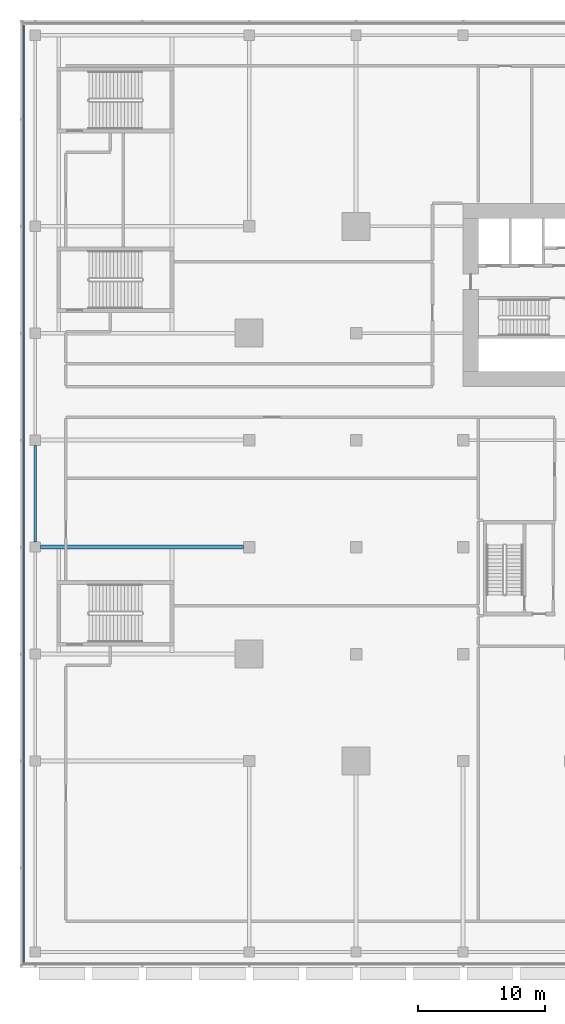
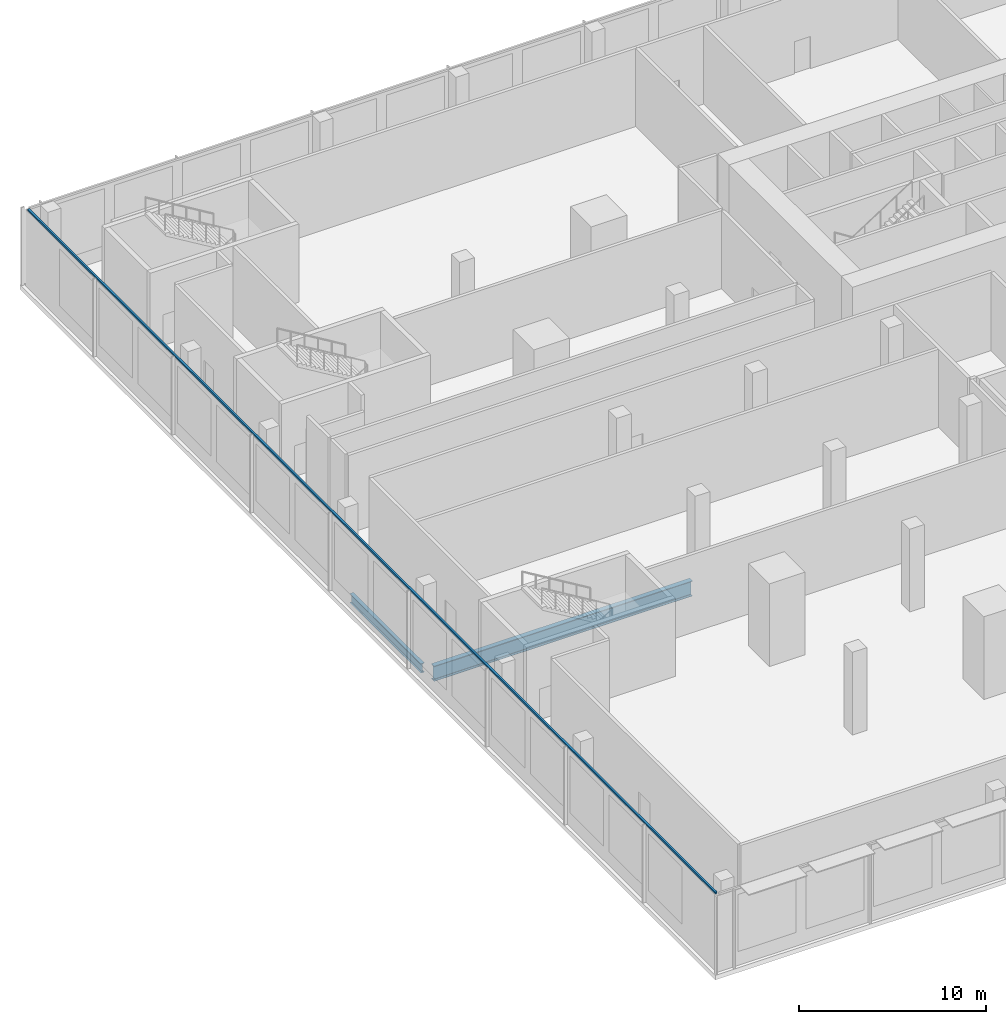
# One storey, part 8 of 39: 2 beams, 1 member, 1 element without a shape of its own.
"""IFC4 building model written with IfcOpenShell, lengths in metres."""

from ifc_helpers import new_model, si_unit, direction, frame, origin, origin_2d, place, context, subcontext, project, spatial, rectangle, i_section, extrude, material, material_profile, profile_set, type_object, element, aggregate, save


model = new_model("IFC4")

# Units and contexts
model_context = context("Model", 3, precision=1e-05, world=origin(), true_north=direction((0.0, 1.0)))
body_context = subcontext(model_context, "Body", "Model", "MODEL_VIEW")
ifc_project = project(units=[si_unit("LENGTHUNIT", "METRE"), si_unit("AREAUNIT", "SQUARE_METRE"), si_unit("VOLUMEUNIT", "CUBIC_METRE"), si_unit("PLANEANGLEUNIT", "RADIAN"), si_unit("MASSUNIT", "GRAM", prefix="KILO")], contexts=[model_context])

# Site, building, storey
site_placement = place(None, origin())
site = spatial("IfcSite", under=ifc_project, at=site_placement, CompositionType="ELEMENT")
building_placement = place(site_placement, origin())
building = spatial("IfcBuilding", under=site, at=building_placement, Name="Saffron Gate Tower", CompositionType="ELEMENT")
storey_placement = place(building_placement, frame((0.0, 0.0, 9.0)))
storey = spatial("IfcBuildingStorey", under=building, at=storey_placement, Name="L01", CompositionType="ELEMENT", Elevation=9.0)

# Beams
ifc_material_1 = material(Name="Structural steel S355", Category="steel")
ifc_material_profile_1 = material_profile(ifc_material_1, i_section(OverallWidth=0.219970703125, OverallDepth=0.60009765625, WebThickness=0.011962890625, FlangeThickness=0.01904296875, FilletRadius=0.02392578125, at=origin_2d()))
ifc_profile_set_1 = profile_set([ifc_material_profile_1], Name="Structural steel S355")
beam_type_1 = type_object("IfcBeamType", Name="B15 IPE 600", PredefinedType="BEAM", material=ifc_profile_set_1)
beam_1_placement = place(storey_placement, frame((33.0, 49.0, -0.60009765625), z_axis=(0.0, 1.0, 0.0), x_axis=(-1.0, 0.0, 0.0)))
element("IfcBeam", 1, at=beam_1_placement, inside=storey, type_object=beam_type_1, Name="B15 PODIUM EDGE BEAM", PredefinedType="BEAM", context=body_context, shape_type="SweptSolid", body=[
    extrude(i_section(OverallWidth=0.219970703125, OverallDepth=0.60009765625, WebThickness=0.011962890625, FlangeThickness=0.01904296875, FilletRadius=0.02392578125, at=origin_2d()), origin(), (0.0, 0.0, 1.0), 7.60009765625),
])
ifc_material_profile_2 = material_profile(ifc_material_1, i_section(OverallWidth=0.300048828125, OverallDepth=0.989990234375, WebThickness=0.0166015625, FlangeThickness=0.031005859375, FilletRadius=0.030029296875, at=origin_2d()))
ifc_profile_set_2 = profile_set([ifc_material_profile_2], Name="Structural steel S355")
beam_type_2 = type_object("IfcBeamType", Name="B21 HEA 1000", PredefinedType="BEAM", material=ifc_profile_set_2)
beam_2_placement = place(storey_placement, frame((33.39990234375, 48.60009765625, -0.794921875), z_axis=(1.0, 0.0, 0.0), x_axis=(0.0, 1.0, 0.0)))
element("IfcBeam", 2, at=beam_2_placement, inside=storey, type_object=beam_type_2, Name="B21 PODIUM RING GIRDER", PredefinedType="BEAM", context=body_context, shape_type="SweptSolid", body=[
    extrude(i_section(OverallWidth=0.300048828125, OverallDepth=0.989990234375, WebThickness=0.0166015625, FlangeThickness=0.031005859375, FilletRadius=0.030029296875, at=origin_2d()), origin(), (0.0, 0.0, 1.0), 15.9501953125),
])

# Curtain wall, member
ifc_material_2 = material(Name="Aluminium, bronze anodised", Category="aluminium")
curtain_wall_type = type_object("IfcCurtainWallType", Name="CWS5 curtain wall podium ring base", PredefinedType="NOTDEFINED", material=ifc_material_2)
curtain_wall_placement = place(storey_placement, origin())
curtain_wall = element("IfcCurtainWall", 3, at=curtain_wall_placement, inside=storey, type_object=curtain_wall_type, Name="CWS5 run 4", PredefinedType="NOTDEFINED")
ifc_material_profile_3 = material_profile(ifc_material_2, rectangle(XDim=0.1201171875, YDim=0.1201171875, at=origin_2d()))
ifc_profile_set_3 = profile_set([ifc_material_profile_3], Name="Aluminium, bronze anodised")
member_type = type_object("IfcMemberType", Name="CWS5 head transom", PredefinedType="USERDEFINED", material=ifc_profile_set_3)
member_placement = place(storey_placement, frame((32.087890625, 89.592041015625, 5.0400390625), z_axis=(0.0, -1.0, 0.0), x_axis=(1.0, 0.0, 0.0)))
member = element("IfcMember", 4, at=member_placement, type_object=member_type, Name="CWS5 head transom", ObjectType="TRANSOM", PredefinedType="USERDEFINED", context=body_context, shape_type="SweptSolid", body=[
    extrude(rectangle(XDim=0.1201171875, YDim=0.1201171875, at=origin_2d()), origin(), (0.0, 0.0, 1.0), 73.583984375),
])
aggregate(curtain_wall, [member])

save(model, "model.ifc")
